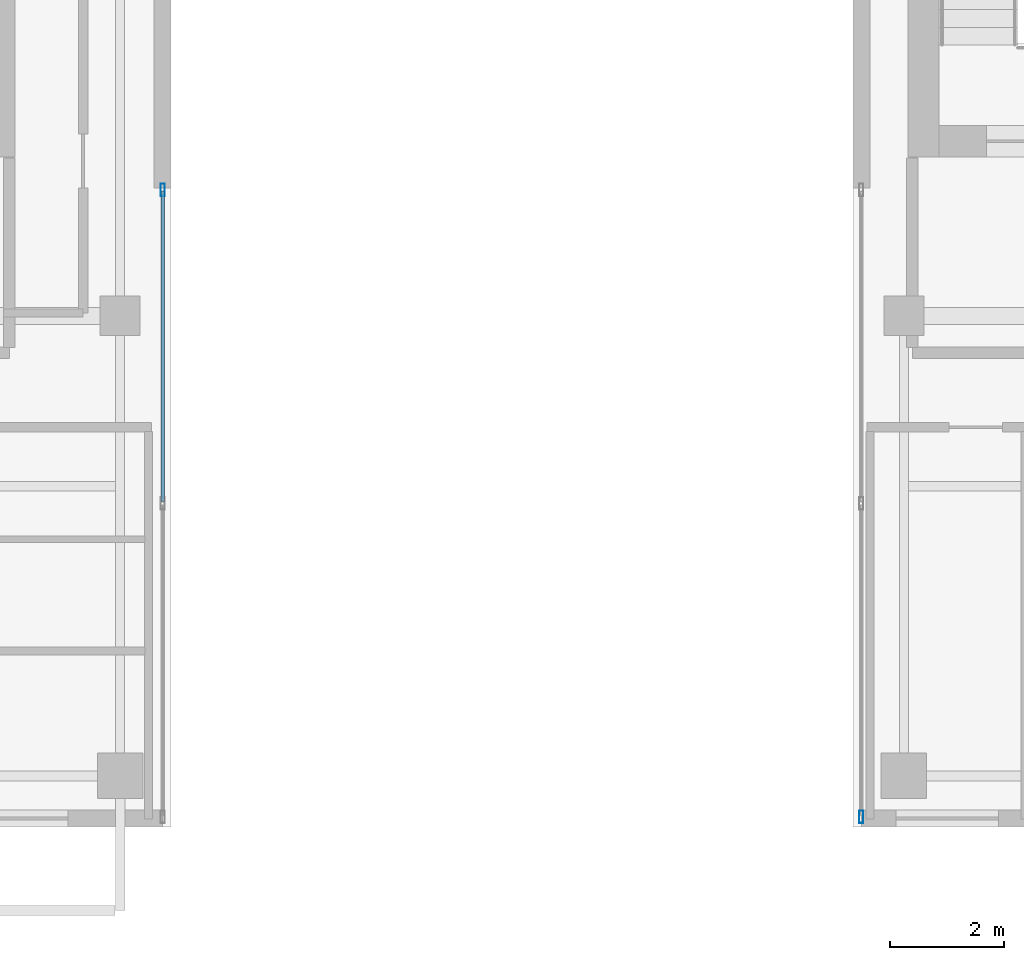
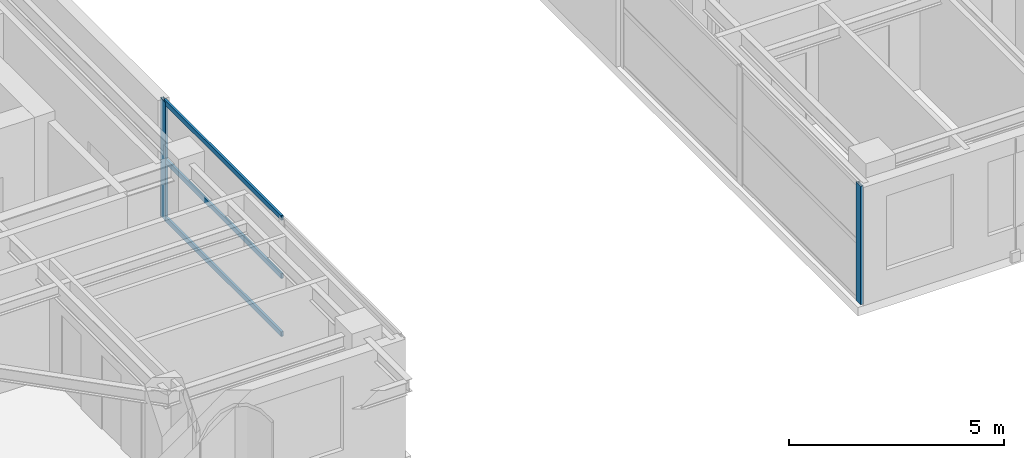
# One storey, part 4 of 22: 5 members, 2 elements without a shape of their own.
"""IFC4 building model written with IfcOpenShell, lengths in metres."""

import ifcopenshell
import ifcopenshell.guid

model = None  # the IFC model being written
_history = None  # IfcOwnerHistory: only IFC2X3 demands one
_inside = {}  # id of a spatial element -> (the spatial element, [elements in it])
_under = {}  # id of a project, library or spatial element -> (it, [spatial elements below it])
_declared = {}  # id of a project -> (the project, [libraries it declares])
_typed = {}  # id of a type object -> (the type object, [elements of that type])
_made_of = {}  # id of a material, layer set ... -> (it, [elements and type objects made of it])


def new_model(schema):
    """Start an empty IFC model of exactly this schema.

    Asked for "IFC4X3", IfcOpenShell would pick the latest addendum, in which some entities
    have other attributes; the version numbers below select the first issue.
    IFC2X3 requires an IfcOwnerHistory on every rooted entity: one is made here for all.
    """
    global model, _history
    if schema == "IFC4X3":
        model = ifcopenshell.file(schema_version=(4, 3, 0, 0))
    else:
        model = ifcopenshell.file(schema=schema)
    _inside.clear()
    _under.clear()
    _declared.clear()
    _typed.clear()
    _made_of.clear()
    _history = None
    if model.schema == "IFC2X3":
        org = make("IfcOrganization", Name="unknown")
        user = make(
            "IfcPersonAndOrganization",
            ThePerson=make("IfcPerson", FamilyName="unknown"),
            TheOrganization=org,
        )
        app = make(
            "IfcApplication",
            ApplicationDeveloper=org,
            Version="unknown",
            ApplicationFullName="unknown",
            ApplicationIdentifier="unknown",
        )
        _history = make(
            "IfcOwnerHistory",
            OwningUser=user,
            OwningApplication=app,
            ChangeAction="ADDED",
            CreationDate=0,
        )
    return model


def make(cls, **values):
    """One entity of the class cls with the attributes given. An attribute that is None is left unset."""
    return model.create_entity(
        cls, **{name: value for name, value in values.items() if value is not None}
    )


def rooted(cls, **values):
    """An entity with a GlobalId (a new one), such as an element, a storey or a relation."""
    return make(cls, GlobalId=ifcopenshell.guid.new(), OwnerHistory=_history, **values)


def si_unit(unit_type, name, prefix=None):
    """IfcSIUnit, for example si_unit("LENGTHUNIT", "METRE", prefix="MILLI")."""
    return make("IfcSIUnit", UnitType=unit_type, Prefix=prefix, Name=name)


def assignment(units):
    """IfcUnitAssignment: the units of a project."""
    return None if units is None else make("IfcUnitAssignment", Units=units)


def point(xyz):
    """IfcCartesianPoint."""
    return None if xyz is None else make("IfcCartesianPoint", Coordinates=xyz)


def direction(xyz):
    """IfcDirection."""
    return None if xyz is None else make("IfcDirection", DirectionRatios=xyz)


def frame(location, z_axis=None, x_axis=None):
    """IfcAxis2Placement3D, a coordinate frame: its origin and axes. An axis left out is left unset."""
    return make(
        "IfcAxis2Placement3D",
        Location=point(location),
        Axis=direction(z_axis),
        RefDirection=direction(x_axis),
    )


def frame_2d(location, x_axis=None):
    """IfcAxis2Placement2D, a coordinate frame in the plane: its origin and x axis."""
    return make(
        "IfcAxis2Placement2D", Location=point(location), RefDirection=direction(x_axis)
    )


def origin():
    """The frame at (0, 0, 0) with its axes left unset."""
    return frame((0.0, 0.0, 0.0))


def origin_2d():
    """The frame at (0, 0) in the plane with its x axis left unset."""
    return frame_2d((0.0, 0.0))


def place(relative_to, where):
    """IfcLocalPlacement: puts the frame where relative to a parent placement (None: the world)."""
    return make(
        "IfcLocalPlacement", PlacementRelTo=relative_to, RelativePlacement=where
    )


def context(
    kind, dimensions, precision=None, world=None, true_north=None, identifier=None
):
    """IfcGeometricRepresentationContext, for example the 3D "Model" context."""
    return make(
        "IfcGeometricRepresentationContext",
        ContextIdentifier=identifier,
        ContextType=kind,
        CoordinateSpaceDimension=dimensions,
        Precision=precision,
        WorldCoordinateSystem=world,
        TrueNorth=true_north,
    )


def subcontext(parent, identifier, kind, view, scale=None):
    """IfcGeometricRepresentationSubContext, for example "Body" below "Model"."""
    return make(
        "IfcGeometricRepresentationSubContext",
        ContextIdentifier=identifier,
        ContextType=kind,
        ParentContext=parent,
        TargetScale=scale,
        TargetView=view,
    )


def project(units=None, contexts=None):
    """IfcProject with its units and contexts."""
    return rooted(
        "IfcProject",
        Name="project",
        RepresentationContexts=contexts,
        UnitsInContext=assignment(units),
    )


def spatial(cls, under=None, at=None, **own):
    """A site, building, storey or space (cls), placed at a placement, below another one or the project."""
    s = rooted(cls, ObjectPlacement=at, **own)
    if under is not None:
        _under.setdefault(under.id(), (under, []))[1].append(s)
    return s


def profile(cls, at=None, kind="AREA", **sizes):
    """A parametric profile (cls). Its sizes go by their IFC names, for example OverallWidth=200.0."""
    return make(cls, ProfileType=kind, Position=at, **sizes)


def hollow_rectangle(**sizes):
    """IfcRectangleHollowProfileDef."""
    return profile("IfcRectangleHollowProfileDef", **sizes)


def extrude(swept, where, along, depth):
    """IfcExtrudedAreaSolid: the profile swept, set in the frame where, extruded along a direction by depth."""
    return make(
        "IfcExtrudedAreaSolid",
        SweptArea=swept,
        Position=where,
        ExtrudedDirection=direction(along),
        Depth=depth,
    )


def shape(context_of_items, identifier, shape_type, items):
    """IfcShapeRepresentation: the items that make up one representation, for example the "Body"."""
    return make(
        "IfcShapeRepresentation",
        ContextOfItems=context_of_items,
        RepresentationIdentifier=identifier,
        RepresentationType=shape_type,
        Items=items,
    )


def source(mapping_origin, context_of_items, identifier, shape_type, items):
    """IfcRepresentationMap: a shape defined once, which mapped items show again and again."""
    return make(
        "IfcRepresentationMap",
        MappingOrigin=mapping_origin,
        MappedRepresentation=shape(context_of_items, identifier, shape_type, items),
    )


def transform(
    local_origin,
    x_axis=None,
    y_axis=None,
    z_axis=None,
    scale=None,
    scale2=None,
    scale3=None,
    uniform=True,
):
    """IfcCartesianTransformationOperator3D, or its non-uniform kind. x_axis, y_axis, z_axis: its Axis1, 2, 3."""
    if uniform:
        return make(
            "IfcCartesianTransformationOperator3D",
            Axis1=direction(x_axis),
            Axis2=direction(y_axis),
            LocalOrigin=point(local_origin),
            Scale=scale,
            Axis3=direction(z_axis),
        )
    return make(
        "IfcCartesianTransformationOperator3DnonUniform",
        Axis1=direction(x_axis),
        Axis2=direction(y_axis),
        LocalOrigin=point(local_origin),
        Scale=scale,
        Axis3=direction(z_axis),
        Scale2=scale2,
        Scale3=scale3,
    )


def mapped(mapping_source, mapping_target):
    """IfcMappedItem: shows the shape of a source again, moved by a transform."""
    return make(
        "IfcMappedItem", MappingSource=mapping_source, MappingTarget=mapping_target
    )


def material(Name=None, Category=None):
    """IfcMaterial."""
    return make("IfcMaterial", Name=Name, Category=Category)


def layer(
    of_material, thickness, ventilated=None, Name=None, Category=None, Priority=None
):
    """IfcMaterialLayer: one layer of a wall or slab, of a material (None: an air gap)."""
    return make(
        "IfcMaterialLayer",
        Material=of_material,
        LayerThickness=thickness,
        IsVentilated=ventilated,
        Name=Name,
        Category=Category,
        Priority=Priority,
    )


def layer_set(layers, Name=None):
    """IfcMaterialLayerSet."""
    return make("IfcMaterialLayerSet", MaterialLayers=layers, LayerSetName=Name)


def material_profile(
    of_material, cross_section, Name=None, Category=None, Priority=None
):
    """IfcMaterialProfile: a cross section and its material."""
    return make(
        "IfcMaterialProfile",
        Name=Name,
        Material=of_material,
        Profile=cross_section,
        Priority=Priority,
        Category=Category,
    )


def profile_set(profiles, Name=None, composite=None):
    """IfcMaterialProfileSet."""
    return make(
        "IfcMaterialProfileSet",
        Name=Name,
        MaterialProfiles=profiles,
        CompositeProfile=composite,
    )


def made_of(thing, what):
    """Note that an element or type object is made of a material, layer set ...; save() writes the relation."""
    if what is not None:
        _made_of.setdefault(what.id(), (what, []))[1].append(thing)
    return thing


def type_object(cls, material=None, **own):
    """A type object (cls), such as IfcWallType, which elements share."""
    return made_of(rooted(cls, **own), material)


def element(
    cls,
    number,
    at=None,
    inside=None,
    cuts=None,
    type_object=None,
    material=None,
    context=None,
    identifier="Body",
    shape_type=None,
    held_by="IfcProductDefinitionShape",
    body=None,
    shapes=None,
    **own,
):
    """One element of the class cls, such as IfcWall. Its Tag is "e" and its number.

    at: its placement. inside: the storey or other place that contains it. cuts: it is an
    opening in that element (IfcRelVoidsElement). A single representation is given by context,
    identifier, shape_type and body (its items); several are given by shapes. held_by: the class
    of the entity that holds the representations. save() writes the other relations.
    """
    e = rooted(cls, Tag="e%d" % number, ObjectPlacement=at, **own)
    if body is not None:
        shapes = [shape(context, identifier, shape_type, body)]
    if shapes is not None:
        e.Representation = make(held_by, Representations=shapes)
    if inside is not None:
        _inside.setdefault(inside.id(), (inside, []))[1].append(e)
    if cuts is not None:
        rooted(
            "IfcRelVoidsElement", RelatingBuildingElement=cuts, RelatedOpeningElement=e
        )
    if type_object is not None:
        _typed.setdefault(type_object.id(), (type_object, []))[1].append(e)
    return made_of(e, material)


def aggregate(whole, parts):
    """IfcRelAggregates: a whole, such as a stair, and the parts it consists of."""
    return rooted("IfcRelAggregates", RelatingObject=whole, RelatedObjects=parts)


def save(model, path):
    """Write the relations noted so far, then the file.

    IfcRelAggregates (storeys below a building ...), IfcRelContainedInSpatialStructure (elements
    in a storey), IfcRelDefinesByType, IfcRelAssociatesMaterial and IfcRelDeclares: one each for
    every whole, place, type object, material and project.
    """
    for whole, parts in _under.values():
        aggregate(whole, parts)
    for where, things in _inside.values():
        rooted(
            "IfcRelContainedInSpatialStructure",
            RelatedElements=things,
            RelatingStructure=where,
        )
    for kind, things in _typed.values():
        rooted("IfcRelDefinesByType", RelatedObjects=things, RelatingType=kind)
    for what, things in _made_of.values():
        rooted("IfcRelAssociatesMaterial", RelatedObjects=things, RelatingMaterial=what)
    for by, libraries in _declared.values():
        rooted("IfcRelDeclares", RelatingContext=by, RelatedDefinitions=libraries)
    model.write(path)


model = new_model("IFC4")

# Units and contexts
model_context = context("Model", 3, precision=1e-05, world=origin(), true_north=direction((0.0, 1.0)))
body_context = subcontext(model_context, "Body", "Model", "MODEL_VIEW")
ifc_project = project(units=[si_unit("LENGTHUNIT", "METRE"), si_unit("AREAUNIT", "SQUARE_METRE"), si_unit("VOLUMEUNIT", "CUBIC_METRE"), si_unit("PLANEANGLEUNIT", "RADIAN"), si_unit("MASSUNIT", "GRAM", prefix="KILO")], contexts=[model_context])

# Site, building, storey
site_placement = place(None, origin())
site = spatial("IfcSite", under=ifc_project, at=site_placement, CompositionType="ELEMENT")
building_placement = place(site_placement, origin())
building = spatial("IfcBuilding", under=site, at=building_placement, Name="Khoralis Quay Care Tower", CompositionType="ELEMENT")
storey_placement = place(building_placement, frame((0.0, 0.0, 242.10009765625)))
storey = spatial("IfcBuildingStorey", under=building, at=storey_placement, Name="L63", CompositionType="ELEMENT", Elevation=242.10009765625)

# Curtain wall, members
ifc_material = material(Name="Pale anodised aluminium", Category="aluminium")
ifc_layer = layer(ifc_material, 0.18994140625)
ifc_layer_set = layer_set([ifc_layer], Name="Pale anodised aluminium")
curtain_wall_type = type_object("IfcCurtainWallType", Name="CW-SYS-PORTAL", PredefinedType="NOTDEFINED", material=ifc_layer_set)
curtain_wall_1_placement = place(storey_placement, origin())
curtain_wall_1 = element("IfcCurtainWall", 1, at=curtain_wall_1_placement, inside=storey, type_object=curtain_wall_type, Name="L63 Unitised Curtain Wall CW-VP-L63-P1-S", PredefinedType="NOTDEFINED")
ifc_material_profile_1 = material_profile(ifc_material, hollow_rectangle(XDim=0.06005859375, YDim=0.139892578125, WallThickness=0.00390625, at=origin_2d()), Name="Pale anodised aluminium")
ifc_profile_set_1 = profile_set([ifc_material_profile_1], Name="Pale anodised aluminium")
member_type_1 = type_object("IfcMemberType", Name="CW-TRN-140", PredefinedType="USERDEFINED", material=ifc_profile_set_1)
shared_shape_1 = source(origin(), body_context, "Body", "SweptSolid", [
    extrude(hollow_rectangle(XDim=0.06005859375, YDim=0.139892578125, WallThickness=0.00390625, at=origin_2d()), origin(), (0.0, 0.0, 1.0), 5.4599609375),
])
member_1_placement = place(storey_placement, frame((17.85009765625, 8.72998046875, 0.02978515625), z_axis=(0.0, 1.0, 0.0), x_axis=(-1.0, 0.0, 0.0)))
member_1 = element("IfcMember", 2, at=member_1_placement, type_object=member_type_1, Name="CW4 transom 2.1", ObjectType="TRANSOM", PredefinedType="USERDEFINED", context=body_context, shape_type="MappedRepresentation", body=[
    mapped(shared_shape_1, transform((0.0, 0.0, 0.0), scale=1.0)),
])
member_2_placement = place(storey_placement, frame((17.85009765625, 8.72998046875, 1.679931640625), z_axis=(0.0, 1.0, 0.0), x_axis=(-1.0, 0.0, 0.0)))
member_2 = element("IfcMember", 3, at=member_2_placement, type_object=member_type_1, Name="CW4 transom 2.2", ObjectType="TRANSOM", PredefinedType="USERDEFINED", context=body_context, shape_type="MappedRepresentation", body=[
    mapped(shared_shape_1, transform((0.0, 0.0, 0.0), scale=1.0)),
])
member_3_placement = place(storey_placement, frame((17.85009765625, 8.72998046875, 3.329833984375), z_axis=(0.0, 1.0, 0.0), x_axis=(-1.0, 0.0, 0.0)))
member_3 = element("IfcMember", 4, at=member_3_placement, type_object=member_type_1, Name="CW4 transom 2.3", ObjectType="TRANSOM", PredefinedType="USERDEFINED", context=body_context, shape_type="MappedRepresentation", body=[
    mapped(shared_shape_1, transform((0.0, 0.0, 0.0), scale=1.0)),
])
ifc_material_profile_2 = material_profile(ifc_material, hollow_rectangle(XDim=0.074951171875, YDim=0.219970703125, WallThickness=0.00390625, at=origin_2d()), Name="Pale anodised aluminium")
ifc_profile_set_2 = profile_set([ifc_material_profile_2], Name="Pale anodised aluminium")
member_type_2 = type_object("IfcMemberType", Name="CW-MUL-220", PredefinedType="MULLION", material=ifc_profile_set_2)
shared_shape_2 = source(origin(), body_context, "Body", "SweptSolid", [
    extrude(hollow_rectangle(XDim=0.074951171875, YDim=0.219970703125, WallThickness=0.00390625, at=origin_2d()), origin(), (0.0, 0.0, 1.0), 3.35986328125),
])
member_4_placement = place(storey_placement, frame((17.85009765625, 14.219970703125, 0.0), z_axis=(0.0, 0.0, 1.0), x_axis=(-1.0, 0.0, 0.0)))
member_4 = element("IfcMember", 5, at=member_4_placement, type_object=member_type_2, Name="CW4 mullion 3", PredefinedType="MULLION", context=body_context, shape_type="MappedRepresentation", body=[
    mapped(shared_shape_2, transform((0.0, 0.0, 0.0), scale=1.0)),
])
aggregate(curtain_wall_1, [member_4, member_1, member_2, member_3])

# Curtain wall, member
curtain_wall_2_placement = place(storey_placement, origin())
curtain_wall_2 = element("IfcCurtainWall", 6, at=curtain_wall_2_placement, inside=storey, type_object=curtain_wall_type, Name="L63 Unitised Curtain Wall CW-VP-L63-P2-S", PredefinedType="NOTDEFINED")
member_5_placement = place(storey_placement, frame((30.14990234375, 3.179931640625, 0.0), z_axis=(0.0, 0.0, 1.0), x_axis=(-1.0, 0.0, 0.0)))
member_5 = element("IfcMember", 7, at=member_5_placement, type_object=member_type_2, Name="CW4 mullion 1", PredefinedType="MULLION", context=body_context, shape_type="MappedRepresentation", body=[
    mapped(shared_shape_2, transform((0.0, 0.0, 0.0), scale=1.0)),
])
aggregate(curtain_wall_2, [member_5])

save(model, "model.ifc")
